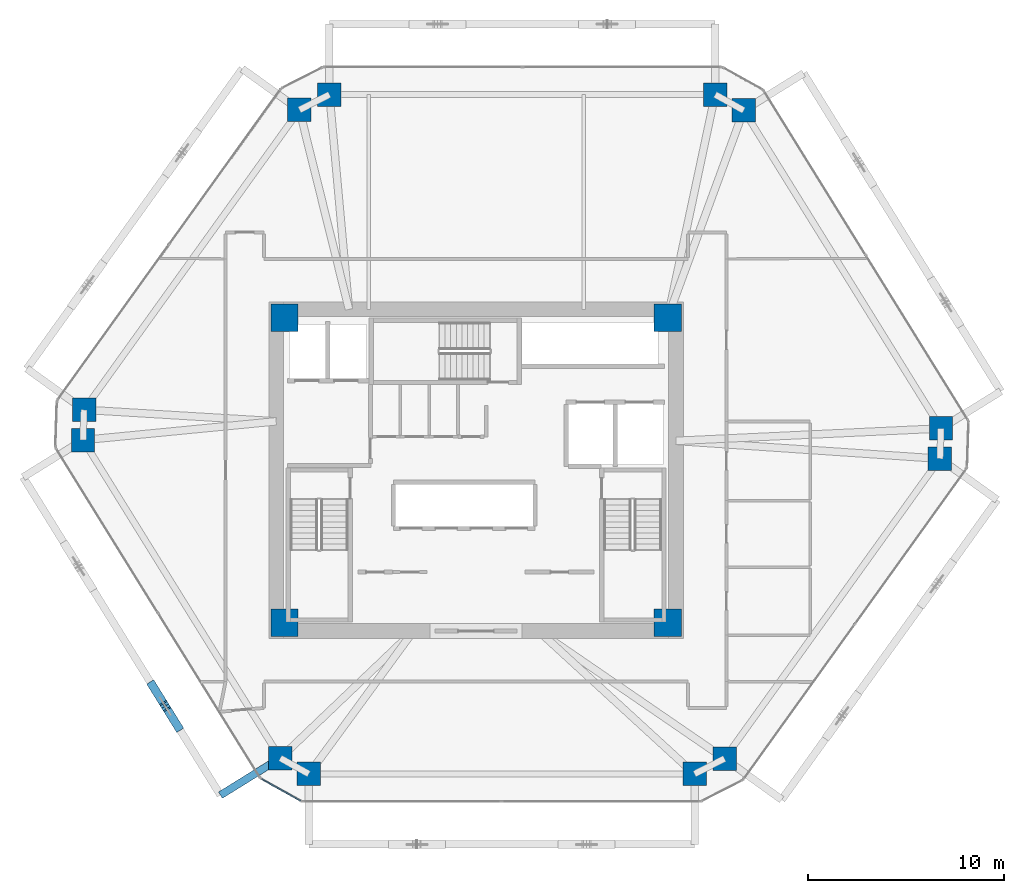
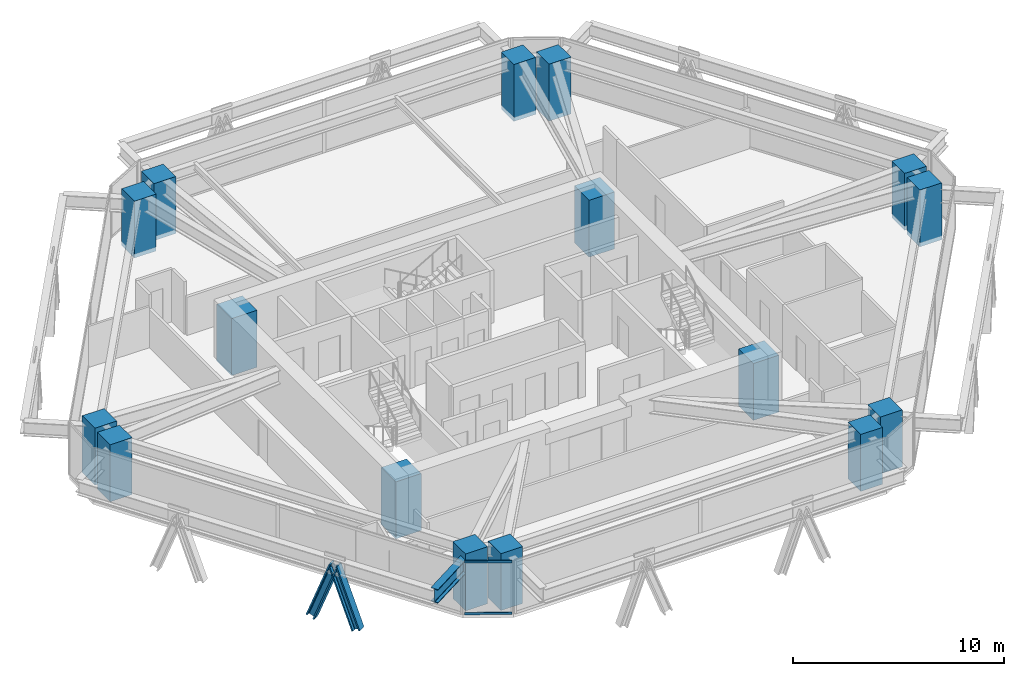
# One storey, part 1 of 15: 16 columns, 4 members, 1 beam, 1 element without a shape of its own.
"""IFC4 building model written with IfcOpenShell, lengths in metres."""

from ifc_helpers import new_model, si_unit, direction, frame, origin, origin_2d, place, context, subcontext, project, spatial, rectangle, i_section, extrude, source, transform, mapped, material, layer, layer_set, material_profile, profile_set, type_object, type_shapes, element, aggregate, save


model = new_model("IFC4")

# Units and contexts
model_context = context("Model", 3, precision=1e-05, world=origin(), true_north=direction((0.0, 1.0)))
body_context = subcontext(model_context, "Body", "Model", "MODEL_VIEW")
ifc_project = project(units=[si_unit("LENGTHUNIT", "METRE"), si_unit("AREAUNIT", "SQUARE_METRE"), si_unit("VOLUMEUNIT", "CUBIC_METRE"), si_unit("PLANEANGLEUNIT", "RADIAN"), si_unit("MASSUNIT", "GRAM", prefix="KILO")], contexts=[model_context])

# Site, building, storey
site_placement = place(None, origin())
site = spatial("IfcSite", under=ifc_project, at=site_placement, CompositionType="ELEMENT")
building_placement = place(site_placement, origin())
building = spatial("IfcBuilding", under=site, at=building_placement, Name="Durnholm Broadcast Tower", CompositionType="ELEMENT")
storey_placement = place(building_placement, frame((0.0, 0.0, 97.5)))
storey = spatial("IfcBuildingStorey", under=building, at=storey_placement, Name="L25", CompositionType="ELEMENT", Elevation=97.5)

# Columns
ifc_material_1 = material(Name="Concrete C70/85", Category="concrete")
ifc_material_profile_1 = material_profile(ifc_material_1, rectangle(XDim=1.39990234375, YDim=1.39990234375, at=origin_2d()), Name="RC1400X1400")
ifc_profile_set_1 = profile_set([ifc_material_profile_1], Name="Concrete C70/85")
column_type_1 = type_object("IfcColumnType", Name="COL-CC-1400", PredefinedType="COLUMN", material=ifc_profile_set_1)
shared_shape_1 = source(origin(), body_context, "Body", "SweptSolid", [
    extrude(rectangle(XDim=1.39990234375, YDim=1.39990234375, at=origin_2d()), origin(), (0.0, 0.0, 1.0), 3.300048828125),
])
type_shapes(column_type_1, [shared_shape_1])
for number, where, z_axis, x_axis, name in (
    (1, (-9.800048828125, -7.800048828125, -0.239990234375), (0.0, 0.0, 1.0), (1.0, 0.0, 0.0), "L25 core corner column 1"),
    (2, (9.800048828125, -7.800048828125, -0.239990234375), (0.0, 0.0, 1.0), (1.0, 0.0, 0.0), "L25 core corner column 2"),
    (3, (9.800048828125, 7.800048828125, -0.239990234375), (0.0, 0.0, 1.0), (1.0, 0.0, 0.0), "L25 core corner column 3"),
    (4, (-9.800048828125, 7.800048828125, -0.239990234375), (0.0, 0.0, 1.0), (1.0, 0.0, 0.0), "L25 core corner column 4"),
):
    element("IfcColumn", number, at=place(storey_placement, frame(where, z_axis=z_axis, x_axis=x_axis)), inside=storey, type_object=column_type_1, Name=name, PredefinedType="COLUMN", context=body_context, shape_type="MappedRepresentation", body=[
        mapped(shared_shape_1, transform((0.0, 0.0, 0.0), x_axis=(1.0, 0.0, 0.0), y_axis=(0.0, 1.0, 0.0), z_axis=(0.0, 0.0, 1.0), scale=1.0)),
    ])
ifc_material_profile_2 = material_profile(ifc_material_1, rectangle(XDim=1.199951171875, YDim=1.199951171875, at=origin_2d()), Name="RC1200X1200")
ifc_profile_set_2 = profile_set([ifc_material_profile_2], Name="Concrete C70/85")
column_type_2 = type_object("IfcColumnType", Name="COL-CC-1200", PredefinedType="COLUMN", material=ifc_profile_set_2)
shared_shape_2 = source(origin(), body_context, "Body", "SweptSolid", [
    extrude(rectangle(XDim=1.199951171875, YDim=1.199951171875, at=origin_2d()), origin(), (0.0, 0.0, 1.0), 3.300048828125),
])
type_shapes(column_type_2, [shared_shape_2])
for number, where, z_axis, x_axis, name in (
    (5, (-10.01416015625, -14.723388671875, -0.239990234375), (0.0, 0.0, 1.0), (1.0, 0.0, 0.0), "L25 perimeter hexagonal tube column 01"),
    (6, (-20.102783203125, 1.54150390625, -0.239990234375), (0.0, 0.0, 1.0), (1.0, 0.0, 0.0), "L25 perimeter hexagonal tube column 02"),
    (7, (-20.050048828125, 3.091064453125, -0.239990234375), (0.0, 0.0, 1.0), (1.0, 0.0, 0.0), "L25 perimeter hexagonal tube column 03"),
    (8, (-9.031982421875, 18.42822265625, -0.239990234375), (0.0, 0.0, 1.0), (1.0, 0.0, 0.0), "L25 perimeter hexagonal tube column 04"),
    (9, (-7.498046875, 19.215087890625, -0.239990234375), (0.0, 0.0, 1.0), (1.0, 0.0, 0.0), "L25 perimeter hexagonal tube column 05"),
    (10, (12.22998046875, 19.215087890625, -0.239990234375), (0.0, 0.0, 1.0), (1.0, 0.0, 0.0), "L25 perimeter hexagonal tube column 06"),
    (11, (13.692138671875, 18.4013671875, -0.239990234375), (0.0, 0.0, 1.0), (1.0, 0.0, 0.0), "L25 perimeter hexagonal tube column 07"),
    (12, (23.78076171875, 2.13671875, -0.239990234375), (0.0, 0.0, 1.0), (1.0, 0.0, 0.0), "L25 perimeter hexagonal tube column 08"),
    (13, (23.72802734375, 0.5869140625, -0.239990234375), (0.0, 0.0, 1.0), (1.0, 0.0, 0.0), "L25 perimeter hexagonal tube column 09"),
    (14, (12.7099609375, -14.750244140625, -0.239990234375), (0.0, 0.0, 1.0), (1.0, 0.0, 0.0), "L25 perimeter hexagonal tube column 10"),
    (15, (11.176025390625, -15.537109375, -0.239990234375), (0.0, 0.0, 1.0), (1.0, 0.0, 0.0), "L25 perimeter hexagonal tube column 11"),
    (16, (-8.552001953125, -15.537109375, -0.239990234375), (0.0, 0.0, 1.0), (1.0, 0.0, 0.0), "L25 perimeter hexagonal tube column 12"),
):
    element("IfcColumn", number, at=place(storey_placement, frame(where, z_axis=z_axis, x_axis=x_axis)), inside=storey, type_object=column_type_2, Name=name, PredefinedType="COLUMN", context=body_context, shape_type="MappedRepresentation", body=[
        mapped(shared_shape_2, transform((0.0, 0.0, 0.0), x_axis=(1.0, 0.0, 0.0), y_axis=(0.0, 1.0, 0.0), z_axis=(0.0, 0.0, 1.0), scale=1.0)),
    ])

# Beam
ifc_material_2 = material(Name="Steel ASTM A992 Grade 50", Category="steel")
ifc_material_profile_3 = material_profile(ifc_material_2, i_section(OverallWidth=0.385009765625, OverallDepth=0.802978515625, WebThickness=0.023681640625, FlangeThickness=0.0419921875, FilletRadius=0.032958984375, at=origin_2d()), Name="W30X261")
ifc_profile_set_3 = profile_set([ifc_material_profile_3], Name="Steel ASTM A992 Grade 50")
beam_type = type_object("IfcBeamType", Name="BM-EXO-TIE", PredefinedType="USERDEFINED", material=ifc_profile_set_3)
shared_shape_3 = source(origin(), body_context, "Body", "SweptSolid", [
    extrude(i_section(OverallWidth=0.385009765625, OverallDepth=0.802978515625, WebThickness=0.023681640625, FlangeThickness=0.0419921875, FilletRadius=0.032958984375, at=origin_2d()), origin(), (0.0, 0.0, 1.0), 3.455810546875),
])
type_shapes(beam_type, [shared_shape_3])
beam_placement = place(storey_placement, frame((-10.13671875, -14.79931640625, 2.30859375), z_axis=(-0.849807128357, -0.527093772107, 0.0), x_axis=(0.527093772107, -0.849807128357, 0.0)))
element("IfcBeam", 17, at=beam_placement, inside=storey, type_object=beam_type, Name="L25 exoskeleton stand-off tie bracket F6.2", ObjectType="GIRDER", PredefinedType="USERDEFINED", context=body_context, shape_type="MappedRepresentation", body=[
    mapped(shared_shape_3, transform((0.0, 0.0, 0.0), x_axis=(1.0, 0.0, 0.0), y_axis=(0.0, 1.0, 0.0), z_axis=(0.0, 0.0, 1.0), scale=1.0)),
])

# Members
ifc_material_3 = material(Name="Steel ASTM A913 Grade 65", Category="steel")
ifc_material_profile_4 = material_profile(ifc_material_3, i_section(OverallWidth=0.424072265625, OverallDepth=0.47412109375, WebThickness=0.047607421875, FlangeThickness=0.0771484375, FilletRadius=0.030517578125, at=origin_2d()), Name="W14X426")
ifc_profile_set_4 = profile_set([ifc_material_profile_4], Name="Steel ASTM A913 Grade 65")
member_type_1 = type_object("IfcMemberType", Name="STL-DG-W14X426", PredefinedType="BRACE", material=ifc_profile_set_4)
shared_shape_4 = source(origin(), body_context, "Body", "SweptSolid", [
    extrude(i_section(OverallWidth=0.424072265625, OverallDepth=0.47412109375, WebThickness=0.047607421875, FlangeThickness=0.0771484375, FilletRadius=0.030517578125, at=origin_2d()), origin(), (0.0, 0.0, 1.0), 3.523193359375),
])
type_shapes(member_type_1, [shared_shape_4])
for number, where, z_axis, x_axis, name in (
    (18, (-16.548583984375, -11.018310546875, -0.991455078125), (0.184606642766, -0.297560406921, 0.936684681032), (0.849750220063, 0.527185511469, 0.0), "L25 stand-off diagrid brace F6.D2.1"),
    (19, (-15.247802734375, -13.115234375, -0.991455078125), (-0.184602835855, 0.297623566065, 0.936665364961), (-0.849805205368, -0.527096872433, 0.0), "L25 stand-off diagrid brace F6.D2.2"),
):
    element("IfcMember", number, at=place(storey_placement, frame(where, z_axis=z_axis, x_axis=x_axis)), inside=storey, type_object=member_type_1, Name=name, PredefinedType="BRACE", context=body_context, shape_type="MappedRepresentation", body=[
        mapped(shared_shape_4, transform((0.0, 0.0, 0.0), x_axis=(1.0, 0.0, 0.0), y_axis=(0.0, 1.0, 0.0), z_axis=(0.0, 0.0, 1.0), scale=1.0)),
    ])

# Curtain wall, members
ifc_material_4 = material(Name="Aluminium and Solar Control IGU", Category="aluminium")
ifc_layer = layer(ifc_material_4, 0.1650390625)
ifc_layer_set = layer_set([ifc_layer], Name="Aluminium and Solar Control IGU")
curtain_wall_type = type_object("IfcCurtainWallType", Name="CW-SYS-5", PredefinedType="NOTDEFINED", material=ifc_layer_set)
curtain_wall_placement = place(storey_placement, origin())
curtain_wall = element("IfcCurtainWall", 20, at=curtain_wall_placement, inside=storey, type_object=curtain_wall_type, Name="L25 curtain wall CW-CORNER CW-L25-CRN-11", PredefinedType="NOTDEFINED")
ifc_material_5 = material(Name="Aluminium 6063-T6", Category="aluminium")
ifc_material_profile_5 = material_profile(ifc_material_5, rectangle(XDim=0.06494140625, YDim=0.1298828125, at=origin_2d()), Name="CWT65X130")
ifc_profile_set_5 = profile_set([ifc_material_profile_5], Name="Aluminium 6063-T6")
member_type_2 = type_object("IfcMemberType", Name="CW-SYS-5-TRN", PredefinedType="USERDEFINED", material=ifc_profile_set_5)
shared_shape_5 = source(origin(), body_context, "Body", "SweptSolid", [
    extrude(rectangle(XDim=0.06494140625, YDim=0.1298828125, at=origin_2d()), origin(), (0.0, 0.0, 1.0), 2.27001953125),
])
type_shapes(member_type_2, [shared_shape_5])
member_1_placement = place(storey_placement, frame((-8.971923828125, -16.9052734375, 0.032470703125), z_axis=(-0.873832405737, 0.486227237703, 0.0), x_axis=(-0.486227237703, -0.873832405737, 0.0)))
member_1 = element("IfcMember", 21, at=member_1_placement, type_object=member_type_2, Name="CW-CORNER transom 1.1", ObjectType="TRANSOM", PredefinedType="USERDEFINED", context=body_context, shape_type="MappedRepresentation", body=[
    mapped(shared_shape_5, transform((0.0, 0.0, 0.0), x_axis=(1.0, 0.0, 0.0), y_axis=(0.0, 1.0, 0.0), z_axis=(0.0, 0.0, 1.0), scale=1.0)),
])
member_2_placement = place(storey_placement, frame((-8.971923828125, -16.9052734375, 3.027587890625), z_axis=(-0.873832405737, 0.486227237703, 0.0), x_axis=(-0.486227237703, -0.873832405737, 0.0)))
member_2 = element("IfcMember", 22, at=member_2_placement, type_object=member_type_2, Name="CW-CORNER transom 1.2", ObjectType="TRANSOM", PredefinedType="USERDEFINED", context=body_context, shape_type="MappedRepresentation", body=[
    mapped(shared_shape_5, transform((0.0, 0.0, 0.0), x_axis=(1.0, 0.0, 0.0), y_axis=(0.0, 1.0, 0.0), z_axis=(0.0, 0.0, 1.0), scale=1.0)),
])
aggregate(curtain_wall, [member_1, member_2])

save(model, "model.ifc")
